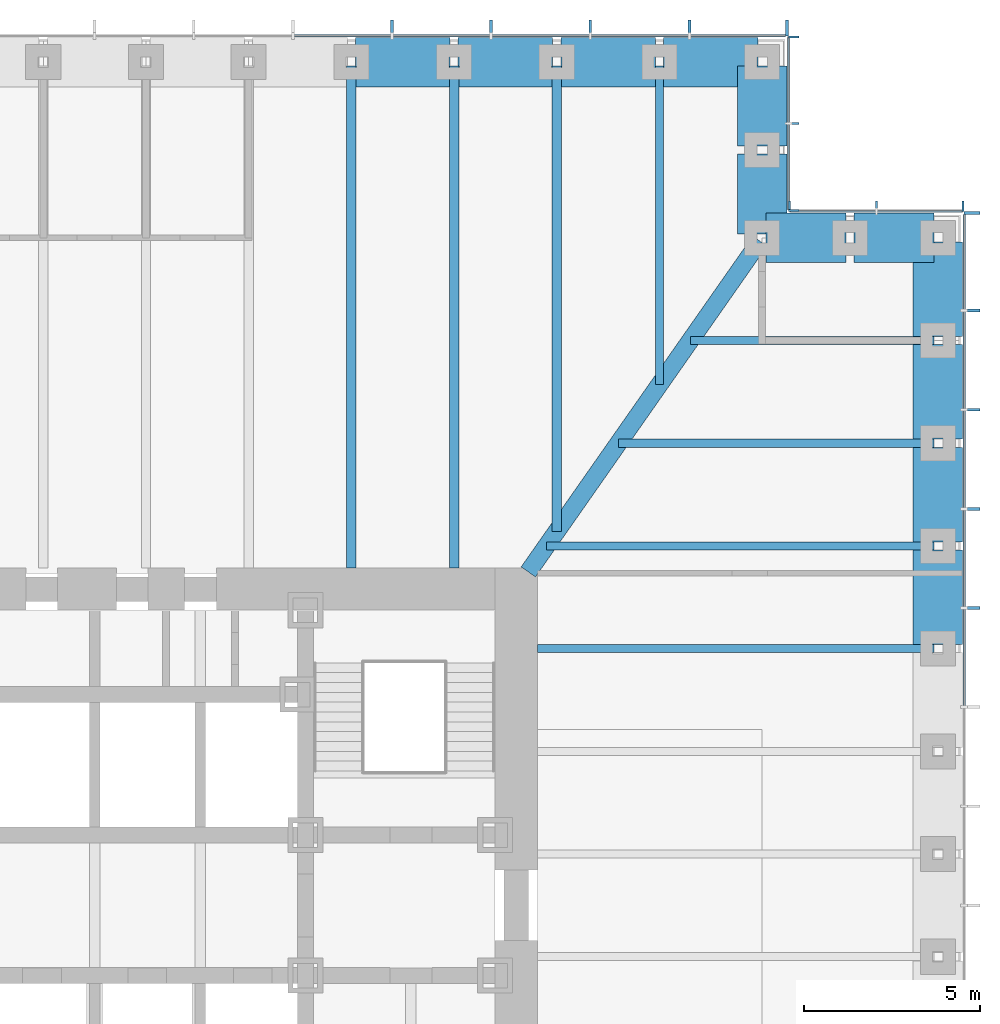
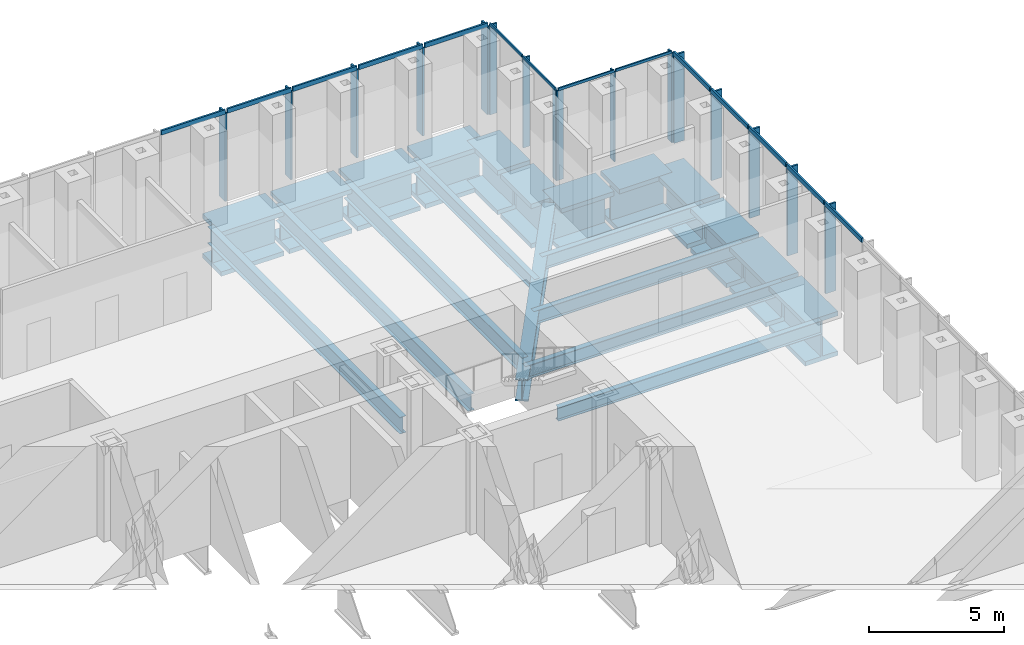
# One storey, part 6 of 16: 30 members, 21 beams, 4 elements without a shape of their own.
"""IFC4 building model written with IfcOpenShell, lengths in metres."""

from ifc_helpers import new_model, si_unit, direction, frame, origin, origin_2d, place, context, subcontext, project, spatial, rectangle, i_section, extrude, material, material_profile, profile_set, type_object, element, aggregate, save


model = new_model("IFC4")

# Units and contexts
model_context = context("Model", 3, precision=1e-05, world=origin(), true_north=direction((0.0, 1.0)))
body_context = subcontext(model_context, "Body", "Model", "MODEL_VIEW")
ifc_project = project(units=[si_unit("LENGTHUNIT", "METRE"), si_unit("AREAUNIT", "SQUARE_METRE"), si_unit("VOLUMEUNIT", "CUBIC_METRE"), si_unit("PLANEANGLEUNIT", "RADIAN"), si_unit("MASSUNIT", "GRAM", prefix="KILO")], contexts=[model_context])

# Site, building, storey
site_placement = place(None, origin())
site = spatial("IfcSite", under=ifc_project, at=site_placement, CompositionType="ELEMENT")
building_placement = place(site_placement, origin())
building = spatial("IfcBuilding", under=site, at=building_placement, Name="Daluyong Arena Tower", CompositionType="ELEMENT")
storey_placement = place(building_placement, frame((0.0, 0.0, 39.10009765625)))
storey = spatial("IfcBuildingStorey", under=building, at=storey_placement, Name="L07", CompositionType="ELEMENT", Elevation=39.10009765625)

# Curtain wall, members
ifc_material_1 = material(Name="Bronze anodised aluminium and glass", Category="aluminium")
curtain_wall_type_1 = type_object("IfcCurtainWallType", Name="Curtain wall CW1", PredefinedType="USERDEFINED", material=ifc_material_1)
curtain_wall_1_placement = place(storey_placement, origin())
curtain_wall_1 = element("IfcCurtainWall", 1, at=curtain_wall_1_placement, inside=storey, type_object=curtain_wall_type_1, Name="curtain wall L07 E", ObjectType="UNITISED CURTAIN WALL", PredefinedType="USERDEFINED")
ifc_material_2 = material(Name="Bronze anodised aluminium fin", Category="aluminium")
ifc_material_profile_1 = material_profile(ifc_material_2, rectangle(XDim=0.449951171875, YDim=0.080078125, at=origin_2d()))
ifc_profile_set_1 = profile_set([ifc_material_profile_1], Name="Bronze anodised aluminium fin")
member_type_1 = type_object("IfcMemberType", Name="CW1 bronze fin 450x80", PredefinedType="MULLION", material=ifc_profile_set_1)
member_1_placement = place(storey_placement, frame((80.97509765625, 88.46435546875, 0.0), z_axis=(0.0, 0.0, 1.0), x_axis=(-1.0, 0.0, 0.0)))
member_1 = element("IfcMember", 2, at=member_1_placement, type_object=member_type_1, Name="curtain wall L07 E fin 11", PredefinedType="MULLION", context=body_context, shape_type="SweptSolid", body=[
    extrude(rectangle(XDim=0.449951171875, YDim=0.080078125, at=origin_2d()), origin(), (0.0, 0.0, 1.0), 4.0),
])
member_2_placement = place(storey_placement, frame((80.97509765625, 91.28564453125, 0.0), z_axis=(0.0, 0.0, 1.0), x_axis=(-1.0, 0.0, 0.0)))
member_2 = element("IfcMember", 3, at=member_2_placement, type_object=member_type_1, Name="curtain wall L07 E fin 12", PredefinedType="MULLION", context=body_context, shape_type="SweptSolid", body=[
    extrude(rectangle(XDim=0.449951171875, YDim=0.080078125, at=origin_2d()), origin(), (0.0, 0.0, 1.0), 4.0),
])
member_3_placement = place(storey_placement, frame((80.97509765625, 94.107177734375, 0.0), z_axis=(0.0, 0.0, 1.0), x_axis=(-1.0, 0.0, 0.0)))
member_3 = element("IfcMember", 4, at=member_3_placement, type_object=member_type_1, Name="curtain wall L07 E fin 13", PredefinedType="MULLION", context=body_context, shape_type="SweptSolid", body=[
    extrude(rectangle(XDim=0.449951171875, YDim=0.080078125, at=origin_2d()), origin(), (0.0, 0.0, 1.0), 4.0),
])
member_4_placement = place(storey_placement, frame((80.97509765625, 96.928466796875, 0.0), z_axis=(0.0, 0.0, 1.0), x_axis=(-1.0, 0.0, 0.0)))
member_4 = element("IfcMember", 5, at=member_4_placement, type_object=member_type_1, Name="curtain wall L07 E fin 14", PredefinedType="MULLION", context=body_context, shape_type="SweptSolid", body=[
    extrude(rectangle(XDim=0.449951171875, YDim=0.080078125, at=origin_2d()), origin(), (0.0, 0.0, 1.0), 4.0),
])
member_5_placement = place(storey_placement, frame((80.97509765625, 99.7099609375, 0.0), z_axis=(0.0, 0.0, 1.0), x_axis=(-1.0, 0.0, 0.0)))
member_5 = element("IfcMember", 6, at=member_5_placement, type_object=member_type_1, Name="curtain wall L07 E fin 15", PredefinedType="MULLION", context=body_context, shape_type="SweptSolid", body=[
    extrude(rectangle(XDim=0.449951171875, YDim=0.080078125, at=origin_2d()), origin(), (0.0, 0.0, 1.0), 4.0),
])

curtain_wall_2_placement = place(storey_placement, origin())
curtain_wall_2 = element("IfcCurtainWall", 7, at=curtain_wall_2_placement, inside=storey, type_object=curtain_wall_type_1, Name="curtain wall L07 N", ObjectType="UNITISED CURTAIN WALL", PredefinedType="USERDEFINED")
member_6_placement = place(storey_placement, frame((75.7099609375, 104.97509765625, 0.0), z_axis=(0.0, 0.0, 1.0), x_axis=(0.0, -1.0, 0.0)))
member_6 = element("IfcMember", 8, at=member_6_placement, type_object=member_type_1, Name="curtain wall L07 N fin 1", PredefinedType="MULLION", context=body_context, shape_type="SweptSolid", body=[
    extrude(rectangle(XDim=0.449951171875, YDim=0.080078125, at=origin_2d()), origin(), (0.0, 0.0, 1.0), 4.0),
])
member_7_placement = place(storey_placement, frame((72.928466796875, 104.97509765625, 0.0), z_axis=(0.0, 0.0, 1.0), x_axis=(0.0, -1.0, 0.0)))
member_7 = element("IfcMember", 9, at=member_7_placement, type_object=member_type_1, Name="curtain wall L07 N fin 2", PredefinedType="MULLION", context=body_context, shape_type="SweptSolid", body=[
    extrude(rectangle(XDim=0.449951171875, YDim=0.080078125, at=origin_2d()), origin(), (0.0, 0.0, 1.0), 4.0),
])
member_8_placement = place(storey_placement, frame((70.107177734375, 104.97509765625, 0.0), z_axis=(0.0, 0.0, 1.0), x_axis=(0.0, -1.0, 0.0)))
member_8 = element("IfcMember", 10, at=member_8_placement, type_object=member_type_1, Name="curtain wall L07 N fin 3", PredefinedType="MULLION", context=body_context, shape_type="SweptSolid", body=[
    extrude(rectangle(XDim=0.449951171875, YDim=0.080078125, at=origin_2d()), origin(), (0.0, 0.0, 1.0), 4.0),
])
member_9_placement = place(storey_placement, frame((67.28564453125, 104.97509765625, 0.0), z_axis=(0.0, 0.0, 1.0), x_axis=(0.0, -1.0, 0.0)))
member_9 = element("IfcMember", 11, at=member_9_placement, type_object=member_type_1, Name="curtain wall L07 N fin 4", PredefinedType="MULLION", context=body_context, shape_type="SweptSolid", body=[
    extrude(rectangle(XDim=0.449951171875, YDim=0.080078125, at=origin_2d()), origin(), (0.0, 0.0, 1.0), 4.0),
])
member_10_placement = place(storey_placement, frame((64.46435546875, 104.97509765625, 0.0), z_axis=(0.0, 0.0, 1.0), x_axis=(0.0, -1.0, 0.0)))
member_10 = element("IfcMember", 12, at=member_10_placement, type_object=member_type_1, Name="curtain wall L07 N fin 5", PredefinedType="MULLION", context=body_context, shape_type="SweptSolid", body=[
    extrude(rectangle(XDim=0.449951171875, YDim=0.080078125, at=origin_2d()), origin(), (0.0, 0.0, 1.0), 4.0),
])

# Member
ifc_material_3 = material(Name="Bronze anodised aluminium", Category="aluminium")
ifc_material_profile_2 = material_profile(ifc_material_3, rectangle(XDim=0.080078125, YDim=0.199951171875, at=origin_2d()))
ifc_profile_set_2 = profile_set([ifc_material_profile_2], Name="Bronze anodised aluminium")
member_type_2 = type_object("IfcMemberType", Name="CW1 stack transom 200x80", PredefinedType="USERDEFINED", material=ifc_profile_set_2)
member_11_placement = place(storey_placement, frame((80.75, 85.682861328125, 4.099853515625), z_axis=(0.0, 1.0, 0.0), x_axis=(-1.0, 0.0, 0.0)))
member_11 = element("IfcMember", 13, at=member_11_placement, type_object=member_type_2, Name="curtain wall L07 E transom 10", ObjectType="TRANSOM", PredefinedType="USERDEFINED", context=body_context, shape_type="SweptSolid", body=[
    extrude(rectangle(XDim=0.080078125, YDim=0.199951171875, at=origin_2d()), origin(), (0.0, 0.0, 1.0), 2.741455078125),
])

member_12_placement = place(storey_placement, frame((80.75, 88.50439453125, 4.099853515625), z_axis=(0.0, 1.0, 0.0), x_axis=(-1.0, 0.0, 0.0)))
member_12 = element("IfcMember", 14, at=member_12_placement, type_object=member_type_2, Name="curtain wall L07 E transom 11", ObjectType="TRANSOM", PredefinedType="USERDEFINED", context=body_context, shape_type="SweptSolid", body=[
    extrude(rectangle(XDim=0.080078125, YDim=0.199951171875, at=origin_2d()), origin(), (0.0, 0.0, 1.0), 2.7412109375),
])

member_13_placement = place(storey_placement, frame((80.75, 91.32568359375, 4.099853515625), z_axis=(0.0, 1.0, 0.0), x_axis=(-1.0, 0.0, 0.0)))
member_13 = element("IfcMember", 15, at=member_13_placement, type_object=member_type_2, Name="curtain wall L07 E transom 12", ObjectType="TRANSOM", PredefinedType="USERDEFINED", context=body_context, shape_type="SweptSolid", body=[
    extrude(rectangle(XDim=0.080078125, YDim=0.199951171875, at=origin_2d()), origin(), (0.0, 0.0, 1.0), 2.741455078125),
])

member_14_placement = place(storey_placement, frame((80.75, 94.147216796875, 4.099853515625), z_axis=(0.0, 1.0, 0.0), x_axis=(-1.0, 0.0, 0.0)))
member_14 = element("IfcMember", 16, at=member_14_placement, type_object=member_type_2, Name="curtain wall L07 E transom 13", ObjectType="TRANSOM", PredefinedType="USERDEFINED", context=body_context, shape_type="SweptSolid", body=[
    extrude(rectangle(XDim=0.080078125, YDim=0.199951171875, at=origin_2d()), origin(), (0.0, 0.0, 1.0), 2.741455078125),
])

member_15_placement = place(storey_placement, frame((80.75, 96.968505859375, 4.099853515625), z_axis=(0.0, 1.0, 0.0), x_axis=(-1.0, 0.0, 0.0)))
member_15 = element("IfcMember", 17, at=member_15_placement, type_object=member_type_2, Name="curtain wall L07 E transom 14", ObjectType="TRANSOM", PredefinedType="USERDEFINED", context=body_context, shape_type="SweptSolid", body=[
    extrude(rectangle(XDim=0.080078125, YDim=0.199951171875, at=origin_2d()), origin(), (0.0, 0.0, 1.0), 2.701416015625),
])

aggregate(curtain_wall_1, [member_1, member_2, member_3, member_4, member_5, member_11, member_12, member_13, member_14, member_15])

member_16_placement = place(storey_placement, frame((75.669921875, 104.75, 4.099853515625), z_axis=(-1.0, 0.0, 0.0), x_axis=(0.0, -1.0, 0.0)))
member_16 = element("IfcMember", 18, at=member_16_placement, type_object=member_type_2, Name="curtain wall L07 N transom 1", ObjectType="TRANSOM", PredefinedType="USERDEFINED", context=body_context, shape_type="SweptSolid", body=[
    extrude(rectangle(XDim=0.080078125, YDim=0.199951171875, at=origin_2d()), origin(), (0.0, 0.0, 1.0), 2.701416015625),
])

member_17_placement = place(storey_placement, frame((72.888671875, 104.75, 4.099853515625), z_axis=(-1.0, 0.0, 0.0), x_axis=(0.0, -1.0, 0.0)))
member_17 = element("IfcMember", 19, at=member_17_placement, type_object=member_type_2, Name="curtain wall L07 N transom 2", ObjectType="TRANSOM", PredefinedType="USERDEFINED", context=body_context, shape_type="SweptSolid", body=[
    extrude(rectangle(XDim=0.080078125, YDim=0.199951171875, at=origin_2d()), origin(), (0.0, 0.0, 1.0), 2.741455078125),
])

member_18_placement = place(storey_placement, frame((70.067138671875, 104.75, 4.099853515625), z_axis=(-1.0, 0.0, 0.0), x_axis=(0.0, -1.0, 0.0)))
member_18 = element("IfcMember", 20, at=member_18_placement, type_object=member_type_2, Name="curtain wall L07 N transom 3", ObjectType="TRANSOM", PredefinedType="USERDEFINED", context=body_context, shape_type="SweptSolid", body=[
    extrude(rectangle(XDim=0.080078125, YDim=0.199951171875, at=origin_2d()), origin(), (0.0, 0.0, 1.0), 2.741455078125),
])

member_19_placement = place(storey_placement, frame((67.24560546875, 104.75, 4.099853515625), z_axis=(-1.0, 0.0, 0.0), x_axis=(0.0, -1.0, 0.0)))
member_19 = element("IfcMember", 21, at=member_19_placement, type_object=member_type_2, Name="curtain wall L07 N transom 4", ObjectType="TRANSOM", PredefinedType="USERDEFINED", context=body_context, shape_type="SweptSolid", body=[
    extrude(rectangle(XDim=0.080078125, YDim=0.199951171875, at=origin_2d()), origin(), (0.0, 0.0, 1.0), 2.7412109375),
])

member_20_placement = place(storey_placement, frame((64.42431640625, 104.75, 4.099853515625), z_axis=(-1.0, 0.0, 0.0), x_axis=(0.0, -1.0, 0.0)))
member_20 = element("IfcMember", 22, at=member_20_placement, type_object=member_type_2, Name="curtain wall L07 N transom 5", ObjectType="TRANSOM", PredefinedType="USERDEFINED", context=body_context, shape_type="SweptSolid", body=[
    extrude(rectangle(XDim=0.080078125, YDim=0.199951171875, at=origin_2d()), origin(), (0.0, 0.0, 1.0), 2.741455078125),
])

aggregate(curtain_wall_2, [member_6, member_7, member_8, member_9, member_10, member_16, member_17, member_18, member_19, member_20])

# Curtain wall, members
ifc_material_4 = material(Name="Bronze anodised aluminium and glass", Category="aluminium")
curtain_wall_type_2 = type_object("IfcCurtainWallType", Name="Curtain wall CW7", PredefinedType="USERDEFINED", material=ifc_material_4)
curtain_wall_3_placement = place(storey_placement, origin())
curtain_wall_3 = element("IfcCurtainWall", 23, at=curtain_wall_3_placement, inside=storey, type_object=curtain_wall_type_2, Name="curtain wall L07 NE-N", ObjectType="UNITISED CURTAIN WALL", PredefinedType="USERDEFINED")
ifc_material_5 = material(Name="Bronze anodised aluminium fin", Category="aluminium")
ifc_material_profile_3 = material_profile(ifc_material_5, rectangle(XDim=0.300048828125, YDim=0.06005859375, at=origin_2d()))
ifc_profile_set_3 = profile_set([ifc_material_profile_3], Name="Bronze anodised aluminium fin")
member_type_3 = type_object("IfcMemberType", Name="CW7 bronze fin 300x60", PredefinedType="MULLION", material=ifc_profile_set_3)
member_21_placement = place(storey_placement, frame((80.719970703125, 99.89990234375, 0.0), z_axis=(0.0, 0.0, 1.0), x_axis=(0.0, -1.0, 0.0)))
member_21 = element("IfcMember", 24, at=member_21_placement, type_object=member_type_3, Name="curtain wall L07 NE-N fin 1", PredefinedType="MULLION", context=body_context, shape_type="SweptSolid", body=[
    extrude(rectangle(XDim=0.300048828125, YDim=0.06005859375, at=origin_2d()), origin(), (0.0, 0.0, 1.0), 4.079833984375),
])
member_22_placement = place(storey_placement, frame((78.25, 99.89990234375, 0.0), z_axis=(0.0, 0.0, 1.0), x_axis=(0.0, -1.0, 0.0)))
member_22 = element("IfcMember", 25, at=member_22_placement, type_object=member_type_3, Name="curtain wall L07 NE-N fin 2", PredefinedType="MULLION", context=body_context, shape_type="SweptSolid", body=[
    extrude(rectangle(XDim=0.300048828125, YDim=0.06005859375, at=origin_2d()), origin(), (0.0, 0.0, 1.0), 4.079833984375),
])
member_23_placement = place(storey_placement, frame((75.780029296875, 99.89990234375, 0.0), z_axis=(0.0, 0.0, 1.0), x_axis=(0.0, -1.0, 0.0)))
member_23 = element("IfcMember", 26, at=member_23_placement, type_object=member_type_3, Name="curtain wall L07 NE-N fin 3", PredefinedType="MULLION", context=body_context, shape_type="SweptSolid", body=[
    extrude(rectangle(XDim=0.300048828125, YDim=0.06005859375, at=origin_2d()), origin(), (0.0, 0.0, 1.0), 4.079833984375),
])

curtain_wall_4_placement = place(storey_placement, origin())
curtain_wall_4 = element("IfcCurtainWall", 27, at=curtain_wall_4_placement, inside=storey, type_object=curtain_wall_type_2, Name="curtain wall L07 NE-E", ObjectType="UNITISED CURTAIN WALL", PredefinedType="USERDEFINED")
member_24_placement = place(storey_placement, frame((75.89990234375, 99.780029296875, 0.0), z_axis=(0.0, 0.0, 1.0), x_axis=(-1.0, 0.0, 0.0)))
member_24 = element("IfcMember", 28, at=member_24_placement, type_object=member_type_3, Name="curtain wall L07 NE-E fin 1", PredefinedType="MULLION", context=body_context, shape_type="SweptSolid", body=[
    extrude(rectangle(XDim=0.300048828125, YDim=0.06005859375, at=origin_2d()), origin(), (0.0, 0.0, 1.0), 4.079833984375),
])
member_25_placement = place(storey_placement, frame((75.89990234375, 102.25, 0.0), z_axis=(0.0, 0.0, 1.0), x_axis=(-1.0, 0.0, 0.0)))
member_25 = element("IfcMember", 29, at=member_25_placement, type_object=member_type_3, Name="curtain wall L07 NE-E fin 2", PredefinedType="MULLION", context=body_context, shape_type="SweptSolid", body=[
    extrude(rectangle(XDim=0.300048828125, YDim=0.06005859375, at=origin_2d()), origin(), (0.0, 0.0, 1.0), 4.079833984375),
])
member_26_placement = place(storey_placement, frame((75.89990234375, 104.719970703125, 0.0), z_axis=(0.0, 0.0, 1.0), x_axis=(-1.0, 0.0, 0.0)))
member_26 = element("IfcMember", 30, at=member_26_placement, type_object=member_type_3, Name="curtain wall L07 NE-E fin 3", PredefinedType="MULLION", context=body_context, shape_type="SweptSolid", body=[
    extrude(rectangle(XDim=0.300048828125, YDim=0.06005859375, at=origin_2d()), origin(), (0.0, 0.0, 1.0), 4.079833984375),
])

# Member
ifc_material_6 = material(Name="Bronze anodised aluminium", Category="aluminium")
ifc_material_profile_4 = material_profile(ifc_material_6, rectangle(XDim=0.06005859375, YDim=0.1201171875, at=origin_2d()))
ifc_profile_set_4 = profile_set([ifc_material_profile_4], Name="Bronze anodised aluminium")
member_type_4 = type_object("IfcMemberType", Name="CW7 stack transom 120x60", PredefinedType="USERDEFINED", material=ifc_profile_set_4)
member_27_placement = place(storey_placement, frame((80.68994140625, 99.75, 4.139892578125), z_axis=(-1.0, 0.0, 0.0), x_axis=(0.0, -1.0, 0.0)))
member_27 = element("IfcMember", 31, at=member_27_placement, type_object=member_type_4, Name="curtain wall L07 NE-N transom 1", ObjectType="TRANSOM", PredefinedType="USERDEFINED", context=body_context, shape_type="SweptSolid", body=[
    extrude(rectangle(XDim=0.06005859375, YDim=0.1201171875, at=origin_2d()), origin(), (0.0, 0.0, 1.0), 2.409912109375),
])

member_28_placement = place(storey_placement, frame((78.219970703125, 99.75, 4.139892578125), z_axis=(-1.0, 0.0, 0.0), x_axis=(0.0, -1.0, 0.0)))
member_28 = element("IfcMember", 32, at=member_28_placement, type_object=member_type_4, Name="curtain wall L07 NE-N transom 2", ObjectType="TRANSOM", PredefinedType="USERDEFINED", context=body_context, shape_type="SweptSolid", body=[
    extrude(rectangle(XDim=0.06005859375, YDim=0.1201171875, at=origin_2d()), origin(), (0.0, 0.0, 1.0), 2.409912109375),
])

aggregate(curtain_wall_3, [member_21, member_22, member_23, member_27, member_28])

member_29_placement = place(storey_placement, frame((75.75, 99.81005859375, 4.139892578125), z_axis=(0.0, 1.0, 0.0), x_axis=(-1.0, 0.0, 0.0)))
member_29 = element("IfcMember", 33, at=member_29_placement, type_object=member_type_4, Name="curtain wall L07 NE-E transom 1", ObjectType="TRANSOM", PredefinedType="USERDEFINED", context=body_context, shape_type="SweptSolid", body=[
    extrude(rectangle(XDim=0.06005859375, YDim=0.1201171875, at=origin_2d()), origin(), (0.0, 0.0, 1.0), 2.409912109375),
])

member_30_placement = place(storey_placement, frame((75.75, 102.280029296875, 4.139892578125), z_axis=(0.0, 1.0, 0.0), x_axis=(-1.0, 0.0, 0.0)))
member_30 = element("IfcMember", 34, at=member_30_placement, type_object=member_type_4, Name="curtain wall L07 NE-E transom 2", ObjectType="TRANSOM", PredefinedType="USERDEFINED", context=body_context, shape_type="SweptSolid", body=[
    extrude(rectangle(XDim=0.06005859375, YDim=0.1201171875, at=origin_2d()), origin(), (0.0, 0.0, 1.0), 2.409912109375),
])

aggregate(curtain_wall_4, [member_24, member_25, member_26, member_29, member_30])

# Beams
ifc_material_7 = material(Name="Steel ASTM A572 Grade 50", Category="steel")
ifc_material_profile_5 = material_profile(ifc_material_7, i_section(OverallWidth=0.5, OverallDepth=1.0, WebThickness=0.03, FlangeThickness=0.06, at=origin_2d()))
ifc_profile_set_5 = profile_set([ifc_material_profile_5], Name="Steel ASTM A572 Grade 50")
beam_type_1 = type_object("IfcBeamType", Name="Corner girder TB1000X500", PredefinedType="BEAM", material=ifc_profile_set_5)
beam_1_placement = place(storey_placement, frame((74.93408203125, 98.90576171875, -0.66015625), z_axis=(-0.573466621875, -0.819228926244, 0.0), x_axis=(0.819228926244, -0.573466621875, 0.0)))
element("IfcBeam", 35, at=beam_1_placement, inside=storey, type_object=beam_type_1, Name="corner girder DG2", PredefinedType="BEAM", context=body_context, shape_type="SweptSolid", body=[
    extrude(i_section(OverallWidth=0.5, OverallDepth=1.0, WebThickness=0.03, FlangeThickness=0.06, at=origin_2d()), origin(), (0.0, 0.0, 1.0), 11.49169921875),
])
ifc_material_8 = material(Name="Steel ASTM A992 Grade 50", Category="steel")
ifc_material_profile_6 = material_profile(ifc_material_8, i_section(OverallWidth=0.22900390625, OverallDepth=0.612060546875, WebThickness=0.011962890625, FlangeThickness=0.01953125, at=origin_2d()))
ifc_profile_set_6 = profile_set([ifc_material_profile_6], Name="Steel ASTM A992 Grade 50")
beam_type_2 = type_object("IfcBeamType", Name="Floor beam W24X84", PredefinedType="BEAM", material=ifc_profile_set_6)
beam_2_placement = place(storey_placement, frame((79.885009765625, 87.3076171875, -0.466064453125), z_axis=(-1.0, 0.0, 0.0), x_axis=(0.0, -1.0, 0.0)))
element("IfcBeam", 36, at=beam_2_placement, inside=storey, type_object=beam_type_2, Name="floor beam FB3", PredefinedType="BEAM", context=body_context, shape_type="SweptSolid", body=[
    extrude(i_section(OverallWidth=0.22900390625, OverallDepth=0.612060546875, WebThickness=0.011962890625, FlangeThickness=0.01953125, at=origin_2d()), origin(), (0.0, 0.0, 1.0), 11.284912109375),
])
beam_3_placement = place(storey_placement, frame((79.885009765625, 90.230712890625, -0.466064453125), z_axis=(-1.0, 0.0, 0.0), x_axis=(0.0, -1.0, 0.0)))
element("IfcBeam", 37, at=beam_3_placement, inside=storey, type_object=beam_type_2, Name="floor beam FB3", PredefinedType="BEAM", context=body_context, shape_type="SweptSolid", body=[
    extrude(i_section(OverallWidth=0.22900390625, OverallDepth=0.612060546875, WebThickness=0.011962890625, FlangeThickness=0.01953125, at=origin_2d()), origin(), (0.0, 0.0, 1.0), 11.0234375),
])
beam_4_placement = place(storey_placement, frame((79.885009765625, 93.15380859375, -0.466064453125), z_axis=(-1.0, 0.0, 0.0), x_axis=(0.0, -1.0, 0.0)))
element("IfcBeam", 38, at=beam_4_placement, inside=storey, type_object=beam_type_2, Name="floor beam FB3", PredefinedType="BEAM", context=body_context, shape_type="SweptSolid", body=[
    extrude(i_section(OverallWidth=0.22900390625, OverallDepth=0.612060546875, WebThickness=0.011962890625, FlangeThickness=0.01953125, at=origin_2d()), origin(), (0.0, 0.0, 1.0), 8.977294921875),
])
beam_5_placement = place(storey_placement, frame((79.885009765625, 96.076904296875, -0.466064453125), z_axis=(-1.0, 0.0, 0.0), x_axis=(0.0, -1.0, 0.0)))
element("IfcBeam", 39, at=beam_5_placement, inside=storey, type_object=beam_type_2, Name="floor beam FB3", PredefinedType="BEAM", context=body_context, shape_type="SweptSolid", body=[
    extrude(i_section(OverallWidth=0.22900390625, OverallDepth=0.612060546875, WebThickness=0.011962890625, FlangeThickness=0.01953125, at=origin_2d()), origin(), (0.0, 0.0, 1.0), 6.93115234375),
])
beam_6_placement = place(storey_placement, frame((72.076904296875, 103.885009765625, -0.466064453125), z_axis=(0.0, -1.0, 0.0), x_axis=(1.0, 0.0, 0.0)))
element("IfcBeam", 40, at=beam_6_placement, inside=storey, type_object=beam_type_2, Name="floor beam FB3", PredefinedType="BEAM", context=body_context, shape_type="SweptSolid", body=[
    extrude(i_section(OverallWidth=0.22900390625, OverallDepth=0.612060546875, WebThickness=0.011962890625, FlangeThickness=0.01953125, at=origin_2d()), origin(), (0.0, 0.0, 1.0), 9.060791015625),
])
ifc_material_9 = material(Name="Steel ASTM A992 Grade 50", Category="steel")
ifc_material_profile_7 = material_profile(ifc_material_9, i_section(OverallWidth=0.2666015625, OverallDepth=0.761962890625, WebThickness=0.014404296875, FlangeThickness=0.021484375, at=origin_2d()))
ifc_profile_set_7 = profile_set([ifc_material_profile_7], Name="Steel ASTM A992 Grade 50")
beam_type_3 = type_object("IfcBeamType", Name="Floor beam W30X116", PredefinedType="BEAM", material=ifc_profile_set_7)
beam_7_placement = place(storey_placement, frame((69.15380859375, 103.885009765625, -0.541015625), z_axis=(0.0, -1.0, 0.0), x_axis=(1.0, 0.0, 0.0)))
element("IfcBeam", 41, at=beam_7_placement, inside=storey, type_object=beam_type_3, Name="floor beam FB4", PredefinedType="BEAM", context=body_context, shape_type="SweptSolid", body=[
    extrude(i_section(OverallWidth=0.2666015625, OverallDepth=0.761962890625, WebThickness=0.014404296875, FlangeThickness=0.021484375, at=origin_2d()), origin(), (0.0, 0.0, 1.0), 13.236572265625),
])
for number, where, z_axis, x_axis, name in (
    (42, (66.230712890625, 103.885009765625, -0.541015625), (0.0, -1.0, 0.0), (1.0, 0.0, 0.0), "floor beam FB4"),
    (43, (63.3076171875, 103.885009765625, -0.541015625), (0.0, -1.0, 0.0), (1.0, 0.0, 0.0), "floor beam FB4"),
):
    element("IfcBeam", number, at=place(storey_placement, frame(where, z_axis=z_axis, x_axis=x_axis)), inside=storey, type_object=beam_type_3, Name=name, PredefinedType="BEAM", context=body_context, shape_type="SweptSolid", body=[
        extrude(i_section(OverallWidth=0.2666015625, OverallDepth=0.761962890625, WebThickness=0.014404296875, FlangeThickness=0.021484375, at=origin_2d()), origin(), (0.0, 0.0, 1.0), 14.284912109375),
    ])
ifc_material_10 = material(Name="Steel ASTM A588 Grade 50", Category="steel")
ifc_material_profile_8 = material_profile(ifc_material_10, i_section(OverallWidth=1.39990234375, OverallDepth=2.0, WebThickness=0.07, FlangeThickness=0.2, at=origin_2d()))
ifc_profile_set_8 = profile_set([ifc_material_profile_8], Name="Steel ASTM A588 Grade 50")
beam_type_4 = type_object("IfcBeamType", Name="Spandrel Z1 PG2000X1400", PredefinedType="SPANDREL", material=ifc_profile_set_8)
for number, where, z_axis, x_axis, name in (
    (44, (80.0, 87.422607421875, -1.16015625), (0.0, 1.0, 0.0), (-1.0, 0.0, 0.0), "spandrel z1 SB1"),
    (45, (80.0, 90.345703125, -1.16015625), (0.0, 1.0, 0.0), (-1.0, 0.0, 0.0), "spandrel z1 SB1"),
    (46, (80.0, 93.268798828125, -1.16015625), (0.0, 1.0, 0.0), (-1.0, 0.0, 0.0), "spandrel z1 SB1"),
    (47, (80.0, 96.19189453125, -1.16015625), (0.0, 1.0, 0.0), (-1.0, 0.0, 0.0), "spandrel z1 SB1"),
):
    element("IfcBeam", number, at=place(storey_placement, frame(where, z_axis=z_axis, x_axis=x_axis)), inside=storey, type_object=beam_type_4, Name=name, PredefinedType="SPANDREL", context=body_context, shape_type="SweptSolid", body=[
        extrude(i_section(OverallWidth=1.39990234375, OverallDepth=2.0, WebThickness=0.07, FlangeThickness=0.2, at=origin_2d()), origin(), (0.0, 0.0, 1.0), 2.693115234375),
    ])
for number, where, z_axis, x_axis, name in (
    (48, (79.885009765625, 99.0, -1.16015625), (-1.0, 0.0, 0.0), (0.0, -1.0, 0.0), "spandrel z1 SB1"),
    (49, (77.385009765625, 99.0, -1.16015625), (-1.0, 0.0, 0.0), (0.0, -1.0, 0.0), "spandrel z1 SB1"),
    (50, (75.0, 99.114990234375, -1.16015625), (0.0, 1.0, 0.0), (-1.0, 0.0, 0.0), "spandrel z1 SB1"),
    (51, (75.0, 101.614990234375, -1.16015625), (0.0, 1.0, 0.0), (-1.0, 0.0, 0.0), "spandrel z1 SB1"),
):
    element("IfcBeam", number, at=place(storey_placement, frame(where, z_axis=z_axis, x_axis=x_axis)), inside=storey, type_object=beam_type_4, Name=name, PredefinedType="SPANDREL", context=body_context, shape_type="SweptSolid", body=[
        extrude(i_section(OverallWidth=1.39990234375, OverallDepth=2.0, WebThickness=0.07, FlangeThickness=0.2, at=origin_2d()), origin(), (0.0, 0.0, 1.0), 2.27001953125),
    ])
for number, where, z_axis, x_axis, name in (
    (52, (74.885009765625, 104.0, -1.16015625), (-1.0, 0.0, 0.0), (0.0, -1.0, 0.0), "spandrel z1 SB1"),
    (53, (71.9619140625, 104.0, -1.16015625), (-1.0, 0.0, 0.0), (0.0, -1.0, 0.0), "spandrel z1 SB1"),
    (54, (69.038818359375, 104.0, -1.16015625), (-1.0, 0.0, 0.0), (0.0, -1.0, 0.0), "spandrel z1 SB1"),
    (55, (66.11572265625, 104.0, -1.16015625), (-1.0, 0.0, 0.0), (0.0, -1.0, 0.0), "spandrel z1 SB1"),
):
    element("IfcBeam", number, at=place(storey_placement, frame(where, z_axis=z_axis, x_axis=x_axis)), inside=storey, type_object=beam_type_4, Name=name, PredefinedType="SPANDREL", context=body_context, shape_type="SweptSolid", body=[
        extrude(i_section(OverallWidth=1.39990234375, OverallDepth=2.0, WebThickness=0.07, FlangeThickness=0.2, at=origin_2d()), origin(), (0.0, 0.0, 1.0), 2.693115234375),
    ])

save(model, "model.ifc")
